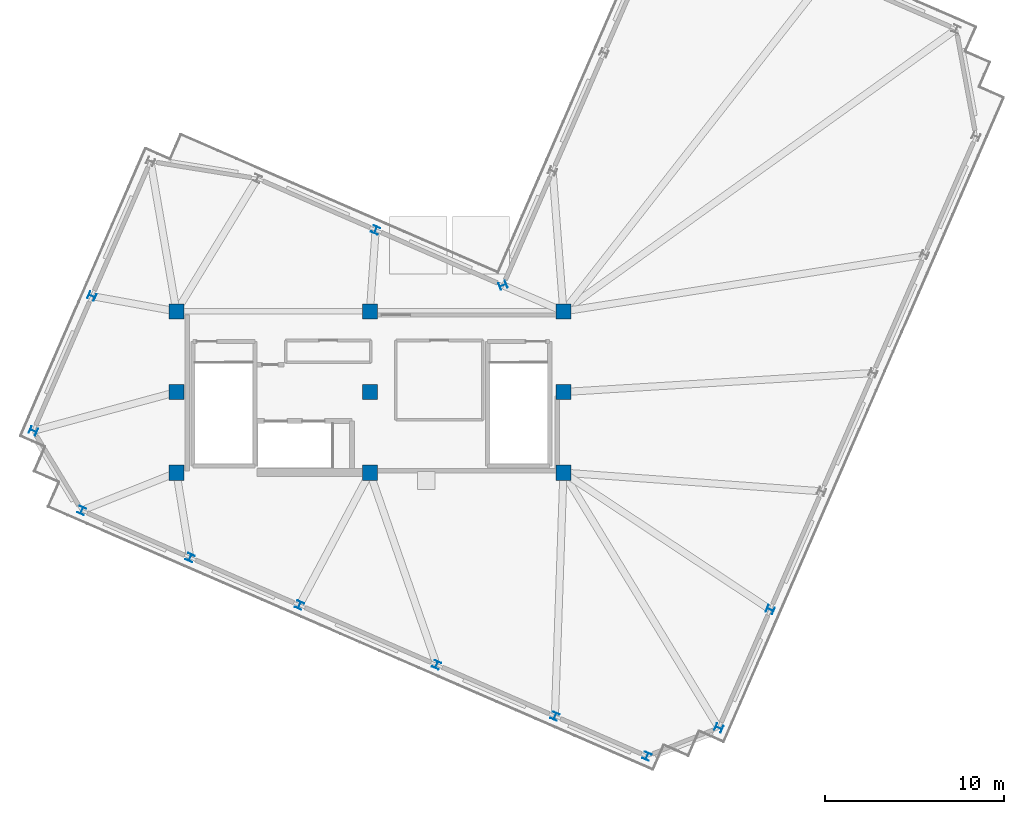
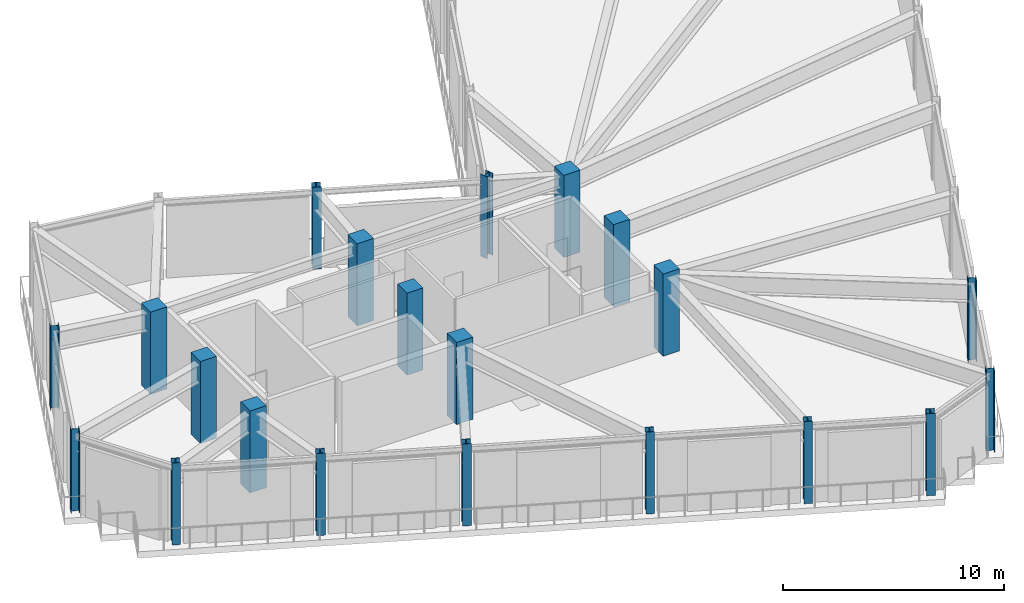
# One storey, part 1 of 7: 21 columns.
"""IFC4 building model written with IfcOpenShell, lengths in metres."""

import ifcopenshell
import ifcopenshell.guid

model = None  # the IFC model being written
_history = None  # IfcOwnerHistory: only IFC2X3 demands one
_inside = {}  # id of a spatial element -> (the spatial element, [elements in it])
_under = {}  # id of a project, library or spatial element -> (it, [spatial elements below it])
_declared = {}  # id of a project -> (the project, [libraries it declares])
_typed = {}  # id of a type object -> (the type object, [elements of that type])
_made_of = {}  # id of a material, layer set ... -> (it, [elements and type objects made of it])


def new_model(schema):
    """Start an empty IFC model of exactly this schema.

    Asked for "IFC4X3", IfcOpenShell would pick the latest addendum, in which some entities
    have other attributes; the version numbers below select the first issue.
    IFC2X3 requires an IfcOwnerHistory on every rooted entity: one is made here for all.
    """
    global model, _history
    if schema == "IFC4X3":
        model = ifcopenshell.file(schema_version=(4, 3, 0, 0))
    else:
        model = ifcopenshell.file(schema=schema)
    _inside.clear()
    _under.clear()
    _declared.clear()
    _typed.clear()
    _made_of.clear()
    _history = None
    if model.schema == "IFC2X3":
        org = make("IfcOrganization", Name="unknown")
        user = make(
            "IfcPersonAndOrganization",
            ThePerson=make("IfcPerson", FamilyName="unknown"),
            TheOrganization=org,
        )
        app = make(
            "IfcApplication",
            ApplicationDeveloper=org,
            Version="unknown",
            ApplicationFullName="unknown",
            ApplicationIdentifier="unknown",
        )
        _history = make(
            "IfcOwnerHistory",
            OwningUser=user,
            OwningApplication=app,
            ChangeAction="ADDED",
            CreationDate=0,
        )
    return model


def make(cls, **values):
    """One entity of the class cls with the attributes given. An attribute that is None is left unset."""
    return model.create_entity(
        cls, **{name: value for name, value in values.items() if value is not None}
    )


def rooted(cls, **values):
    """An entity with a GlobalId (a new one), such as an element, a storey or a relation."""
    return make(cls, GlobalId=ifcopenshell.guid.new(), OwnerHistory=_history, **values)


def si_unit(unit_type, name, prefix=None):
    """IfcSIUnit, for example si_unit("LENGTHUNIT", "METRE", prefix="MILLI")."""
    return make("IfcSIUnit", UnitType=unit_type, Prefix=prefix, Name=name)


def assignment(units):
    """IfcUnitAssignment: the units of a project."""
    return None if units is None else make("IfcUnitAssignment", Units=units)


def point(xyz):
    """IfcCartesianPoint."""
    return None if xyz is None else make("IfcCartesianPoint", Coordinates=xyz)


def direction(xyz):
    """IfcDirection."""
    return None if xyz is None else make("IfcDirection", DirectionRatios=xyz)


def frame(location, z_axis=None, x_axis=None):
    """IfcAxis2Placement3D, a coordinate frame: its origin and axes. An axis left out is left unset."""
    return make(
        "IfcAxis2Placement3D",
        Location=point(location),
        Axis=direction(z_axis),
        RefDirection=direction(x_axis),
    )


def frame_2d(location, x_axis=None):
    """IfcAxis2Placement2D, a coordinate frame in the plane: its origin and x axis."""
    return make(
        "IfcAxis2Placement2D", Location=point(location), RefDirection=direction(x_axis)
    )


def origin():
    """The frame at (0, 0, 0) with its axes left unset."""
    return frame((0.0, 0.0, 0.0))


def origin_2d():
    """The frame at (0, 0) in the plane with its x axis left unset."""
    return frame_2d((0.0, 0.0))


def place(relative_to, where):
    """IfcLocalPlacement: puts the frame where relative to a parent placement (None: the world)."""
    return make(
        "IfcLocalPlacement", PlacementRelTo=relative_to, RelativePlacement=where
    )


def context(
    kind, dimensions, precision=None, world=None, true_north=None, identifier=None
):
    """IfcGeometricRepresentationContext, for example the 3D "Model" context."""
    return make(
        "IfcGeometricRepresentationContext",
        ContextIdentifier=identifier,
        ContextType=kind,
        CoordinateSpaceDimension=dimensions,
        Precision=precision,
        WorldCoordinateSystem=world,
        TrueNorth=true_north,
    )


def subcontext(parent, identifier, kind, view, scale=None):
    """IfcGeometricRepresentationSubContext, for example "Body" below "Model"."""
    return make(
        "IfcGeometricRepresentationSubContext",
        ContextIdentifier=identifier,
        ContextType=kind,
        ParentContext=parent,
        TargetScale=scale,
        TargetView=view,
    )


def project(units=None, contexts=None):
    """IfcProject with its units and contexts."""
    return rooted(
        "IfcProject",
        Name="project",
        RepresentationContexts=contexts,
        UnitsInContext=assignment(units),
    )


def spatial(cls, under=None, at=None, **own):
    """A site, building, storey or space (cls), placed at a placement, below another one or the project."""
    s = rooted(cls, ObjectPlacement=at, **own)
    if under is not None:
        _under.setdefault(under.id(), (under, []))[1].append(s)
    return s


def profile(cls, at=None, kind="AREA", **sizes):
    """A parametric profile (cls). Its sizes go by their IFC names, for example OverallWidth=200.0."""
    return make(cls, ProfileType=kind, Position=at, **sizes)


def rectangle(**sizes):
    """IfcRectangleProfileDef."""
    return profile("IfcRectangleProfileDef", **sizes)


def i_section(**sizes):
    """IfcIShapeProfileDef."""
    return profile("IfcIShapeProfileDef", **sizes)


def extrude(swept, where, along, depth):
    """IfcExtrudedAreaSolid: the profile swept, set in the frame where, extruded along a direction by depth."""
    return make(
        "IfcExtrudedAreaSolid",
        SweptArea=swept,
        Position=where,
        ExtrudedDirection=direction(along),
        Depth=depth,
    )


def shape(context_of_items, identifier, shape_type, items):
    """IfcShapeRepresentation: the items that make up one representation, for example the "Body"."""
    return make(
        "IfcShapeRepresentation",
        ContextOfItems=context_of_items,
        RepresentationIdentifier=identifier,
        RepresentationType=shape_type,
        Items=items,
    )


def material(Name=None, Category=None):
    """IfcMaterial."""
    return make("IfcMaterial", Name=Name, Category=Category)


def material_profile(
    of_material, cross_section, Name=None, Category=None, Priority=None
):
    """IfcMaterialProfile: a cross section and its material."""
    return make(
        "IfcMaterialProfile",
        Name=Name,
        Material=of_material,
        Profile=cross_section,
        Priority=Priority,
        Category=Category,
    )


def profile_set(profiles, Name=None, composite=None):
    """IfcMaterialProfileSet."""
    return make(
        "IfcMaterialProfileSet",
        Name=Name,
        MaterialProfiles=profiles,
        CompositeProfile=composite,
    )


def made_of(thing, what):
    """Note that an element or type object is made of a material, layer set ...; save() writes the relation."""
    if what is not None:
        _made_of.setdefault(what.id(), (what, []))[1].append(thing)
    return thing


def type_object(cls, material=None, **own):
    """A type object (cls), such as IfcWallType, which elements share."""
    return made_of(rooted(cls, **own), material)


def element(
    cls,
    number,
    at=None,
    inside=None,
    cuts=None,
    type_object=None,
    material=None,
    context=None,
    identifier="Body",
    shape_type=None,
    held_by="IfcProductDefinitionShape",
    body=None,
    shapes=None,
    **own,
):
    """One element of the class cls, such as IfcWall. Its Tag is "e" and its number.

    at: its placement. inside: the storey or other place that contains it. cuts: it is an
    opening in that element (IfcRelVoidsElement). A single representation is given by context,
    identifier, shape_type and body (its items); several are given by shapes. held_by: the class
    of the entity that holds the representations. save() writes the other relations.
    """
    e = rooted(cls, Tag="e%d" % number, ObjectPlacement=at, **own)
    if body is not None:
        shapes = [shape(context, identifier, shape_type, body)]
    if shapes is not None:
        e.Representation = make(held_by, Representations=shapes)
    if inside is not None:
        _inside.setdefault(inside.id(), (inside, []))[1].append(e)
    if cuts is not None:
        rooted(
            "IfcRelVoidsElement", RelatingBuildingElement=cuts, RelatedOpeningElement=e
        )
    if type_object is not None:
        _typed.setdefault(type_object.id(), (type_object, []))[1].append(e)
    return made_of(e, material)


def aggregate(whole, parts):
    """IfcRelAggregates: a whole, such as a stair, and the parts it consists of."""
    return rooted("IfcRelAggregates", RelatingObject=whole, RelatedObjects=parts)


def save(model, path):
    """Write the relations noted so far, then the file.

    IfcRelAggregates (storeys below a building ...), IfcRelContainedInSpatialStructure (elements
    in a storey), IfcRelDefinesByType, IfcRelAssociatesMaterial and IfcRelDeclares: one each for
    every whole, place, type object, material and project.
    """
    for whole, parts in _under.values():
        aggregate(whole, parts)
    for where, things in _inside.values():
        rooted(
            "IfcRelContainedInSpatialStructure",
            RelatedElements=things,
            RelatingStructure=where,
        )
    for kind, things in _typed.values():
        rooted("IfcRelDefinesByType", RelatedObjects=things, RelatingType=kind)
    for what, things in _made_of.values():
        rooted("IfcRelAssociatesMaterial", RelatedObjects=things, RelatingMaterial=what)
    for by, libraries in _declared.values():
        rooted("IfcRelDeclares", RelatingContext=by, RelatedDefinitions=libraries)
    model.write(path)


model = new_model("IFC4")

# Units and contexts
model_context = context("Model", 3, precision=1e-05, world=origin(), true_north=direction((0.0, 1.0)))
body_context = subcontext(model_context, "Body", "Model", "MODEL_VIEW")
ifc_project = project(units=[si_unit("LENGTHUNIT", "METRE"), si_unit("AREAUNIT", "SQUARE_METRE"), si_unit("VOLUMEUNIT", "CUBIC_METRE"), si_unit("PLANEANGLEUNIT", "RADIAN"), si_unit("MASSUNIT", "GRAM", prefix="KILO")], contexts=[model_context])

# Site, building, storey
site_placement = place(None, origin())
site = spatial("IfcSite", under=ifc_project, at=site_placement, CompositionType="ELEMENT")
building_placement = place(site_placement, origin())
building = spatial("IfcBuilding", under=site, at=building_placement, Name="Gaonmaruhae Medical Tower", CompositionType="ELEMENT")
storey_placement = place(building_placement, frame((0.0, 0.0, 347.800048828125)))
storey = spatial("IfcBuildingStorey", under=building, at=storey_placement, Name="RF", CompositionType="ELEMENT", Elevation=347.800048828125)

# Columns
ifc_material_1 = material(Name="Concrete C50/60", Category="concrete")
ifc_material_profile_1 = material_profile(ifc_material_1, rectangle(XDim=0.85009765625, YDim=0.85009765625, at=origin_2d()), Name="RC-850x850")
ifc_profile_set_1 = profile_set([ifc_material_profile_1], Name="Concrete C50/60")
column_type_1 = type_object("IfcColumnType", Name="CC-06 Upper Core Column (RC-850x850)", PredefinedType="COLUMN", material=ifc_profile_set_1)
for number, where, z_axis, x_axis, name in (
    (1, (14.0, 7.800048828125, 0.0), (0.0, 0.0, 1.0), (1.0, 0.0, 0.0), "RF Plumb Core Column CC11"),
    (2, (14.0, 12.300048828125, 0.0), (0.0, 0.0, 1.0), (1.0, 0.0, 0.0), "RF Plumb Core Column CC12"),
    (3, (14.0, 16.800048828125, 0.0), (0.0, 0.0, 1.0), (1.0, 0.0, 0.0), "RF Plumb Core Column CC13"),
    (4, (24.800048828125, 7.800048828125, 0.0), (0.0, 0.0, 1.0), (1.0, 0.0, 0.0), "RF Plumb Core Column CC21"),
    (5, (24.800048828125, 12.300048828125, 0.0), (0.0, 0.0, 1.0), (1.0, 0.0, 0.0), "RF Plumb Core Column CC22"),
    (6, (24.800048828125, 16.800048828125, 0.0), (0.0, 0.0, 1.0), (1.0, 0.0, 0.0), "RF Plumb Core Column CC23"),
    (7, (35.60009765625, 7.800048828125, 0.0), (0.0, 0.0, 1.0), (1.0, 0.0, 0.0), "RF Plumb Core Column CC31"),
    (8, (35.60009765625, 12.300048828125, 0.0), (0.0, 0.0, 1.0), (1.0, 0.0, 0.0), "RF Plumb Core Column CC32"),
    (9, (35.60009765625, 16.800048828125, 0.0), (0.0, 0.0, 1.0), (1.0, 0.0, 0.0), "RF Plumb Core Column CC33"),
):
    element("IfcColumn", number, at=place(storey_placement, frame(where, z_axis=z_axis, x_axis=x_axis)), inside=storey, type_object=column_type_1, Name=name, PredefinedType="COLUMN", context=body_context, shape_type="SweptSolid", body=[
        extrude(rectangle(XDim=0.85009765625, YDim=0.85009765625, at=origin_2d()), origin(), (0.0, 0.0, 1.0), 4.5400390625),
    ])
ifc_material_2 = material(Name="Steel SM420", Category="steel")
ifc_material_profile_2 = material_profile(ifc_material_2, i_section(OverallWidth=0.39990234375, OverallDepth=0.39990234375, WebThickness=0.012939453125, FlangeThickness=0.02099609375, FilletRadius=0.02197265625, at=origin_2d()), Name="H-400x400x13x21")
ifc_profile_set_2 = profile_set([ifc_material_profile_2], Name="Steel SM420")
column_type_2 = type_object("IfcColumnType", Name="SC-02 Crown Perimeter Louvred Column (H-400x400x13x21)", PredefinedType="COLUMN", material=ifc_profile_set_2)
for number, where, z_axis, x_axis, name in (
    (10, (44.275146484375, -6.448486328125, 0.001708984375), (0.0, 0.0, 1.0), (0.398749068925, 0.917060074385, 0.0), "RF Perimeter Tube Column S01"),
    (11, (47.14599609375, 0.154296875, 0.001708984375), (0.0, 0.0, 1.0), (0.398749068925, 0.917060074385, 0.0), "RF Perimeter Tube Column S02"),
    (12, (32.226318359375, 18.2548828125, 0.001708984375), (0.0, 0.0, 1.0), (-0.366501226724, 0.930417567982, 0.0), "RF Perimeter Tube Column KN01"),
    (13, (25.118896484375, 21.34521484375, 0.001708984375), (0.0, 0.0, 1.0), (-0.917060074385, 0.398749068925, 0.0), "RF Perimeter Tube Column NE01"),
    (14, (9.283447265625, 17.653564453125, 0.001708984375), (0.0, 0.0, 1.0), (0.398749068925, 0.917060074385, 0.0), "RF Perimeter Tube Column N02"),
    (15, (6.013671875, 10.133544921875, 0.001708984375), (0.0, 0.0, 1.0), (0.398749068925, 0.917060074385, 0.0), "RF Perimeter Tube Column N03"),
    (16, (8.715087890625, 5.687744140625, 0.001708984375), (0.0, 0.0, 1.0), (-0.917060074385, 0.398749068925, 0.0), "RF Perimeter Tube Column W01"),
    (17, (14.767578125, 3.055908203125, 0.001708984375), (0.0, 0.0, 1.0), (-0.917060074385, 0.398749068925, 0.0), "RF Perimeter Tube Column W02"),
    (18, (20.865966796875, 0.404296875, 0.001708984375), (0.0, 0.0, 1.0), (-0.917060074385, 0.398749068925, 0.0), "RF Perimeter Tube Column W03"),
    (19, (28.5234375, -2.92529296875, 0.001708984375), (0.0, 0.0, 1.0), (-0.917060074385, 0.398749068925, 0.0), "RF Perimeter Tube Column W04"),
    (20, (35.12646484375, -5.79638671875, 0.001708984375), (0.0, 0.0, 1.0), (-0.917060074385, 0.398749068925, 0.0), "RF Perimeter Tube Column W05"),
    (21, (40.261962890625, -8.029296875, 0.001708984375), (0.0, 0.0, 1.0), (-0.917060074385, 0.398749068925, 0.0), "RF Perimeter Tube Column W06"),
):
    element("IfcColumn", number, at=place(storey_placement, frame(where, z_axis=z_axis, x_axis=x_axis)), inside=storey, type_object=column_type_2, Name=name, PredefinedType="COLUMN", context=body_context, shape_type="SweptSolid", body=[
        extrude(i_section(OverallWidth=0.39990234375, OverallDepth=0.39990234375, WebThickness=0.012939453125, FlangeThickness=0.02099609375, FilletRadius=0.02197265625, at=origin_2d()), origin(), (0.0, 0.0, 1.0), 4.536376953125),
    ])

save(model, "model.ifc")
